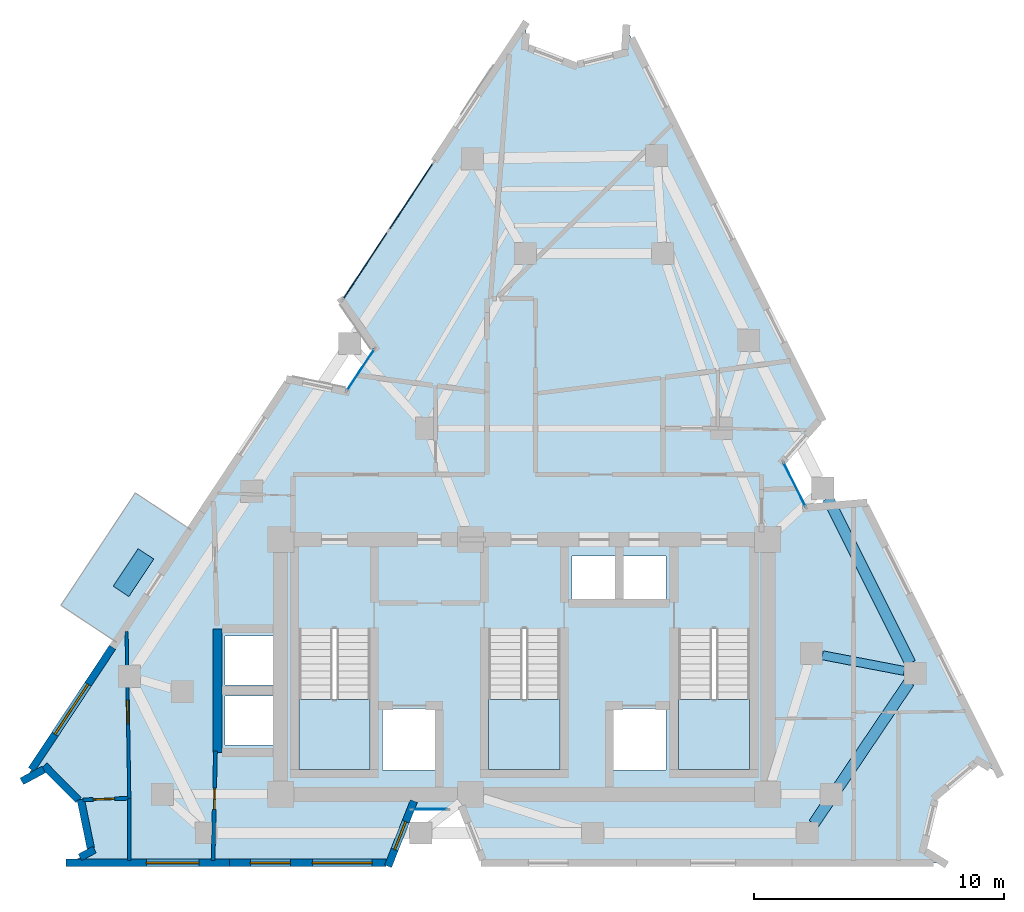
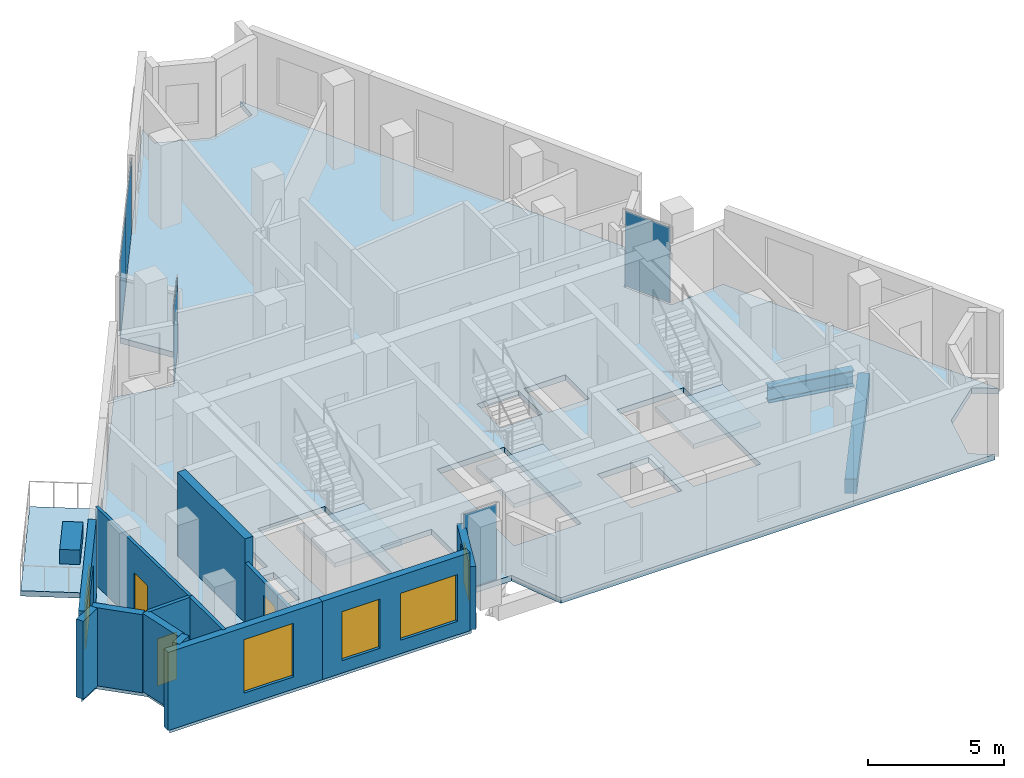
# One storey, part 4 of 10: 13 walls, 6 plates, 5 slabs, 5 windows, 3 beams, 3 doors, 8 openings, 7 elements without a shape of their own.
"""IFC4 building model written with IfcOpenShell, lengths in metres."""

from ifc_helpers import new_model, si_unit, direction, frame, frame_2d, origin, origin_2d, place, context, subcontext, project, spatial, polyline, rectangle, i_section, outline, extrude, material, layer, layer_set, material_profile, profile_set, type_object, element, fill, aggregate, save


model = new_model("IFC4")

# Units and contexts
model_context = context("Model", 3, precision=1e-05, world=origin(), true_north=direction((0.0, 1.0)))
body_context = subcontext(model_context, "Body", "Model", "MODEL_VIEW")
ifc_project = project(units=[si_unit("LENGTHUNIT", "METRE"), si_unit("AREAUNIT", "SQUARE_METRE"), si_unit("VOLUMEUNIT", "CUBIC_METRE"), si_unit("PLANEANGLEUNIT", "RADIAN"), si_unit("MASSUNIT", "GRAM", prefix="KILO")], contexts=[model_context])

# Site, building, storey
site_placement = place(None, origin())
site = spatial("IfcSite", under=ifc_project, at=site_placement, CompositionType="ELEMENT")
building_placement = place(site_placement, origin())
building = spatial("IfcBuilding", under=site, at=building_placement, Name="Almagre Mirador Tower", CompositionType="ELEMENT")
storey_placement = place(building_placement, frame((0.0, 0.0, 255.75)))
storey = spatial("IfcBuildingStorey", under=building, at=storey_placement, Name="L66", CompositionType="ELEMENT", Elevation=255.75)

# Beams
ifc_material_1 = material(Name="Precast concrete C50/60", Category="concrete")
ifc_material_profile_1 = material_profile(ifc_material_1, rectangle(XDim=0.449951171875, YDim=0.64990234375, at=origin_2d()), Name="RC450X650")
ifc_profile_set_1 = profile_set([ifc_material_profile_1], Name="Precast concrete C50/60")
beam_type_1 = type_object("IfcBeamType", Name="BM-SPN-RC450X650", PredefinedType="SPANDREL", material=ifc_profile_set_1)
beam_1_placement = place(storey_placement, frame((48.8916015625, 3.373046875, -0.574951171875), z_axis=(0.559011807763, 0.829159694378, 0.0), x_axis=(-0.829159694378, 0.559011807763, 0.0)))
element("IfcBeam", 1, at=beam_1_placement, inside=storey, type_object=beam_type_1, Name="L66 perimeter spandrel beam PC04-PC05", PredefinedType="SPANDREL", context=body_context, shape_type="SweptSolid", body=[
    extrude(rectangle(XDim=0.449951171875, YDim=0.64990234375, at=origin_2d()), origin(), (0.0, 0.0, 1.0), 6.822265625),
])
beam_2_placement = place(storey_placement, frame((52.755859375, 9.805419921875, -0.574951171875), z_axis=(-0.447226839749, 0.894420568753, 0.0), x_axis=(-0.894420568753, -0.447226839749, 0.0)))
element("IfcBeam", 2, at=beam_2_placement, inside=storey, type_object=beam_type_1, Name="L66 perimeter spandrel beam PC05-PC06", PredefinedType="SPANDREL", context=body_context, shape_type="SweptSolid", body=[
    extrude(rectangle(XDim=0.449951171875, YDim=0.64990234375, at=origin_2d()), origin(), (0.0, 0.0, 1.0), 7.37353515625),
])
ifc_material_2 = material(Name="Steel ASTM A992 Grade 50", Category="steel")
ifc_material_profile_2 = material_profile(ifc_material_2, i_section(OverallWidth=0.35791015625, OverallDepth=0.7060546875, WebThickness=0.018310546875, FlangeThickness=0.0302734375, FilletRadius=0.02197265625, at=origin_2d()), Name="W27X178")
ifc_profile_set_2 = profile_set([ifc_material_profile_2], Name="Steel ASTM A992 Grade 50")
beam_type_2 = type_object("IfcBeamType", Name="BM-STL-W27X178", PredefinedType="BEAM", material=ifc_profile_set_2)
beam_3_placement = place(storey_placement, frame((52.514892578125, 9.48779296875, -0.60302734375), z_axis=(-0.982116013596, 0.188276753315, 0.0), x_axis=(-0.188276753315, -0.982116013596, 0.0)))
element("IfcBeam", 3, at=beam_3_placement, inside=storey, type_object=beam_type_2, Name="L66 radial floor girder PC05-MC3", PredefinedType="BEAM", context=body_context, shape_type="SweptSolid", body=[
    extrude(i_section(OverallWidth=0.35791015625, OverallDepth=0.7060546875, WebThickness=0.018310546875, FlangeThickness=0.0302734375, FilletRadius=0.02197265625, at=origin_2d()), origin(), (0.0, 0.0, 1.0), 3.33251953125),
])

# Curtain wall, plate
ifc_material_3 = material(Name="Black anodized aluminium", Category="aluminium")
ifc_layer_1 = layer(ifc_material_3, 0.169921875)
ifc_layer_set_1 = layer_set([ifc_layer_1], Name="Black anodized aluminium")
curtain_wall_type_1 = type_object("IfcCurtainWallType", Name="CW-CRS-SYS", PredefinedType="NOTDEFINED", material=ifc_layer_set_1)
curtain_wall_1_placement = place(storey_placement, origin())
curtain_wall_1 = element("IfcCurtainWall", 4, at=curtain_wall_1_placement, inside=storey, type_object=curtain_wall_type_1, Name="L66 vertical crease curtain wall 01", PredefinedType="NOTDEFINED")
ifc_material_4 = material(Name="Dark solar-control laminated hurricane glass", Category="glass")
ifc_layer_2 = layer(ifc_material_4, 0.028076171875)
ifc_layer_set_2 = layer_set([ifc_layer_2], Name="Dark solar-control laminated hurricane glass")
plate_type_1 = type_object("IfcPlateType", Name="PLT-GLZ-28", PredefinedType="CURTAIN_PANEL", material=ifc_layer_set_2)
plate_1_placement = place(storey_placement, frame((30.7490234375, 21.53955078125, 0.06005859375), z_axis=(0.0, 0.0, 1.0), x_axis=(0.552047907303, 0.833812393793, 0.0)))
plate_1 = element("IfcPlate", 5, at=plate_1_placement, type_object=plate_type_1, Name="CW-4 panel 1.1", PredefinedType="CURTAIN_PANEL", context=body_context, shape_type="SweptSolid", body=[
    extrude(rectangle(XDim=1.970458984375, YDim=0.028076171875, at=origin_2d()), origin(), (0.0, 0.0, 1.0), 3.3798828125),
])
aggregate(curtain_wall_1, [plate_1])

curtain_wall_2_placement = place(storey_placement, origin())
curtain_wall_2 = element("IfcCurtainWall", 6, at=curtain_wall_2_placement, inside=storey, type_object=curtain_wall_type_1, Name="L66 vertical crease curtain wall 03", PredefinedType="NOTDEFINED")
plate_2_placement = place(storey_placement, frame((48.12060546875, 16.950927734375, 0.06005859375), z_axis=(0.0, 0.0, 1.0), x_axis=(0.447213595499, -0.894427191001, 0.0)))
plate_2 = element("IfcPlate", 7, at=plate_2_placement, type_object=plate_type_1, Name="CW-4 panel 1.1", PredefinedType="CURTAIN_PANEL", context=body_context, shape_type="SweptSolid", body=[
    extrude(rectangle(XDim=1.970703125, YDim=0.028076171875, at=origin_2d()), origin(), (0.0, 0.0, 1.0), 3.3798828125),
])
aggregate(curtain_wall_2, [plate_2])

curtain_wall_3_placement = place(storey_placement, origin())
curtain_wall_3 = element("IfcCurtainWall", 8, at=curtain_wall_3_placement, inside=storey, type_object=curtain_wall_type_1, Name="L66 vertical crease curtain wall 04", PredefinedType="NOTDEFINED")
plate_3_placement = place(storey_placement, frame((33.510009765625, 3.949951171875, 0.06005859375), z_axis=(0.0, 0.0, 1.0), x_axis=(-1.0, 0.0, 0.0)))
plate_3 = element("IfcPlate", 9, at=plate_3_placement, type_object=plate_type_1, Name="CW-4 panel 1.1", PredefinedType="CURTAIN_PANEL", context=body_context, shape_type="SweptSolid", body=[
    extrude(rectangle(XDim=1.389892578125, YDim=0.028076171875, at=origin_2d()), origin(), (0.0, 0.0, 1.0), 3.3798828125),
])
aggregate(curtain_wall_3, [plate_3])

# Curtain wall, plates
ifc_material_5 = material(Name="Black anodized aluminium", Category="aluminium")
ifc_layer_3 = layer(ifc_material_5, 0.199951171875)
ifc_layer_set_3 = layer_set([ifc_layer_3], Name="Black anodized aluminium")
curtain_wall_type_2 = type_object("IfcCurtainWallType", Name="CW-RES-H-SYS", PredefinedType="NOTDEFINED", material=ifc_layer_set_3)
curtain_wall_4_placement = place(storey_placement, origin())
curtain_wall_4 = element("IfcCurtainWall", 10, at=curtain_wall_4_placement, inside=storey, type_object=curtain_wall_type_2, Name="L66 curtain wall run 02", PredefinedType="NOTDEFINED")
ifc_material_6 = material(Name="Dark solar-control laminated hurricane glass", Category="glass")
ifc_layer_4 = layer(ifc_material_6, 0.035888671875)
ifc_layer_set_4 = layer_set([ifc_layer_4], Name="Dark solar-control laminated hurricane glass")
plate_type_2 = type_object("IfcPlateType", Name="PLT-GLZ-36", PredefinedType="CURTAIN_PANEL", material=ifc_layer_set_4)
plate_4_placement = place(storey_placement, frame((30.938232421875, 25.71875, 0.06494140625), z_axis=(0.0, 0.0, 1.0), x_axis=(0.552109983574, 0.833771291205, 0.0)))
plate_4 = element("IfcPlate", 11, at=plate_4_placement, type_object=plate_type_2, Name="CW-3 panel 1.1", PredefinedType="CURTAIN_PANEL", context=body_context, shape_type="SweptSolid", body=[
    extrude(rectangle(XDim=3.246826171875, YDim=0.035888671875, at=origin_2d()), origin(), (0.0, 0.0, 1.0), 3.3701171875),
])
plate_5_placement = place(storey_placement, frame((32.766845703125, 28.480224609375, 0.06494140625), z_axis=(0.0, 0.0, 1.0), x_axis=(0.552109983574, 0.833771291205, 0.0)))
plate_5 = element("IfcPlate", 12, at=plate_5_placement, type_object=plate_type_2, Name="CW-3 panel 2.1", PredefinedType="CURTAIN_PANEL", context=body_context, shape_type="SweptSolid", body=[
    extrude(rectangle(XDim=3.246826171875, YDim=0.035888671875, at=origin_2d()), origin(), (0.0, 0.0, 1.0), 3.3701171875),
])
aggregate(curtain_wall_4, [plate_4, plate_5])

# Plate
ifc_material_7 = material(Name="Precast concrete C50/60", Category="concrete")
ifc_layer_5 = layer(ifc_material_7, 0.64990234375)
ifc_layer_set_5 = layer_set([ifc_layer_5], Name="Precast concrete C50/60")
plate_type_3 = type_object("IfcPlateType", Name="PLT-PLANTER-1800", PredefinedType="USERDEFINED", material=ifc_layer_set_5)
plate_6_placement = place(storey_placement, frame((21.657958984375, 13.424072265625, 0.0), z_axis=(0.0, 0.0, 1.0), x_axis=(-0.552097069724, -0.833779842406, 0.0)))
element("IfcPlate", 13, at=plate_6_placement, inside=storey, type_object=plate_type_3, Name="L66 west balcony structural tree planter 1", ObjectType="PLANTER", PredefinedType="USERDEFINED", context=body_context, shape_type="SweptSolid", body=[
    extrude(rectangle(XDim=1.800048828125, YDim=0.75, at=origin_2d()), origin(), (0.0, 0.0, 1.0), 0.64990234375),
])

# Slabs
ifc_material_8 = material(Name="Concrete C45/55", Category="concrete")
ifc_layer_6 = layer(ifc_material_8, 0.239990234375)
ifc_layer_set_6 = layer_set([ifc_layer_6], Name="Concrete C45/55")
slab_type_1 = type_object("IfcSlabType", Name="SLB-BAL-240", PredefinedType="USERDEFINED", material=ifc_layer_set_6)
slab_1_placement = place(storey_placement, frame((0.0, 0.0, -0.239990234375)))
element("IfcSlab", 14, at=slab_1_placement, inside=storey, type_object=slab_type_1, Name="L66 west planted tree balcony 1", ObjectType="BALCONY", PredefinedType="USERDEFINED", context=body_context, shape_type="SweptSolid", body=[
    extrude(outline(polyline([(23.9580078125, 15.139892578125), (20.97607421875, 10.637939453125), (18.75, 12.112060546875), (21.73095703125, 16.614013671875), (23.9580078125, 15.139892578125)])), origin(), (0.0, 0.0, 1.0), 0.239990234375),
])
ifc_material_9 = material(Name="Concrete C45/55", Category="concrete")
ifc_layer_7 = layer(ifc_material_9, 0.25)
ifc_layer_set_7 = layer_set([ifc_layer_7], Name="Concrete C45/55")
slab_type_2 = type_object("IfcSlabType", Name="SLB-FLR-250", PredefinedType="FLOOR", material=ifc_layer_set_7)
slab_2_placement = place(storey_placement, frame((0.0, 0.0, -0.25)))
element("IfcSlab", 15, at=slab_2_placement, inside=storey, type_object=slab_type_2, Name="L66 structural floor slab", PredefinedType="FLOOR", context=body_context, shape_type="SweptSolid", body=[
    extrude(outline(polyline([(17.30810546875, 5.135009765625), (18.180908203125, 5.60400390625), (19.574951171875, 4.2041015625), (19.971923828125, 2.26904296875), (19.10009765625, 1.800048828125), (31.89990234375, 1.800048828125), (32.7548828125, 3.949951171875), (34.844970703125, 3.949951171875), (35.699951171875, 1.800048828125), (54.10009765625, 1.800048828125), (53.258056640625, 2.320068359375), (53.779052734375, 4.470947265625), (55.468994140625, 5.89794921875), (56.31103515625, 5.3779296875), (50.89306640625, 16.212890625), (48.587890625, 16.01611328125), (47.653076171875, 17.885986328125), (49.194091796875, 19.612060546875), (41.388916015625, 35.221923828125), (41.3291015625, 34.23388671875), (39.2919921875, 33.72900390625), (37.33203125, 34.47705078125), (37.39208984375, 35.465087890625), (30.006103515625, 24.31103515625), (31.325927734375, 22.410888671875), (30.172119140625, 20.66796875), (27.907958984375, 21.14208984375), (17.30810546875, 5.135009765625)]), holes=[polyline([(43.47509765625, 5.550048828125), (43.47509765625, 11.196044921875), (46.324951171875, 11.196044921875), (46.324951171875, 5.550048828125), (43.47509765625, 5.550048828125)]), polyline([(41.219970703125, 12.320068359375), (41.219970703125, 14.080078125), (42.97998046875, 14.080078125), (42.97998046875, 12.320068359375), (41.219970703125, 12.320068359375)]), polyline([(42.97998046875, 5.52001953125), (40.820068359375, 5.52001953125), (40.820068359375, 7.97998046875), (42.97998046875, 7.97998046875), (42.97998046875, 5.52001953125)]), polyline([(39.219970703125, 12.320068359375), (39.219970703125, 14.080078125), (40.97998046875, 14.080078125), (40.97998046875, 12.320068359375), (39.219970703125, 12.320068359375)]), polyline([(35.875, 5.550048828125), (35.875, 11.196044921875), (38.72509765625, 11.196044921875), (38.72509765625, 5.550048828125), (35.875, 5.550048828125)]), polyline([(33.780029296875, 5.52001953125), (31.6201171875, 5.52001953125), (31.6201171875, 7.97998046875), (33.780029296875, 7.97998046875), (33.780029296875, 5.52001953125)]), polyline([(28.27490234375, 5.550048828125), (28.27490234375, 11.196044921875), (31.125, 11.196044921875), (31.125, 5.550048828125), (28.27490234375, 5.550048828125)]), polyline([(27.3798828125, 6.52001953125), (25.320068359375, 6.52001953125), (25.320068359375, 8.47998046875), (27.3798828125, 8.47998046875), (27.3798828125, 6.52001953125)]), polyline([(27.3798828125, 8.919921875), (25.320068359375, 8.919921875), (25.320068359375, 10.8798828125), (27.3798828125, 10.8798828125), (27.3798828125, 8.919921875)])]), origin(), (0.0, 0.0, 1.0), 0.25),
])

# Stair, slab
ifc_material_10 = material(Name="Concrete C45/55", Category="concrete")
stair_type = type_object("IfcStairType", Name="STR-DL-3750", PredefinedType="HALF_TURN_STAIR", material=ifc_material_10)
stair_1_placement = place(storey_placement, origin())
stair_1 = element("IfcStair", 16, at=stair_1_placement, inside=storey, type_object=stair_type, Name="L66 Protected exit stair ST-1", PredefinedType="HALF_TURN_STAIR")
ifc_material_11 = material(Name="Concrete C45/55", Category="concrete")
ifc_layer_8 = layer(ifc_material_11, 0.199951171875)
ifc_layer_set_8 = layer_set([ifc_layer_8], Name="Concrete C45/55")
slab_type_3 = type_object("IfcSlabType", Name="SLB-LND-200", PredefinedType="LANDING", material=ifc_layer_set_8)
slab_3_placement = place(storey_placement, frame((0.0, 0.0, 1.675048828125)))
slab_3 = element("IfcSlab", 17, at=slab_3_placement, type_object=slab_type_3, Name="ST-1 landing 1", PredefinedType="LANDING", context=body_context, shape_type="SweptSolid", body=[
    extrude(outline(polyline([(28.27490234375, 8.35009765625), (28.27490234375, 5.550048828125), (31.125, 5.550048828125), (31.125, 8.35009765625), (28.27490234375, 8.35009765625)])), origin(), (0.0, 0.0, 1.0), 0.199951171875),
])
aggregate(stair_1, [slab_3])

stair_2_placement = place(storey_placement, origin())
stair_2 = element("IfcStair", 18, at=stair_2_placement, inside=storey, type_object=stair_type, Name="L66 Protected exit stair ST-2", PredefinedType="HALF_TURN_STAIR")
slab_4_placement = place(storey_placement, frame((0.0, 0.0, 1.675048828125)))
slab_4 = element("IfcSlab", 19, at=slab_4_placement, type_object=slab_type_3, Name="ST-2 landing 1", PredefinedType="LANDING", context=body_context, shape_type="SweptSolid", body=[
    extrude(outline(polyline([(35.875, 8.35009765625), (35.875, 5.550048828125), (38.72509765625, 5.550048828125), (38.72509765625, 8.35009765625), (35.875, 8.35009765625)])), origin(), (0.0, 0.0, 1.0), 0.199951171875),
])
aggregate(stair_2, [slab_4])

stair_3_placement = place(storey_placement, origin())
stair_3 = element("IfcStair", 20, at=stair_3_placement, inside=storey, type_object=stair_type, Name="L66 Protected exit stair ST-3", PredefinedType="HALF_TURN_STAIR")
slab_5_placement = place(storey_placement, frame((0.0, 0.0, 1.675048828125)))
slab_5 = element("IfcSlab", 21, at=slab_5_placement, type_object=slab_type_3, Name="ST-3 landing 1", PredefinedType="LANDING", context=body_context, shape_type="SweptSolid", body=[
    extrude(outline(polyline([(43.47509765625, 8.35009765625), (43.47509765625, 5.550048828125), (46.324951171875, 5.550048828125), (46.324951171875, 8.35009765625), (43.47509765625, 8.35009765625)])), origin(), (0.0, 0.0, 1.0), 0.199951171875),
])
aggregate(stair_3, [slab_5])

# Wall, opening, window
ifc_material_12 = material(Name="Precast concrete C50/60", Category="concrete")
ifc_layer_9 = layer(ifc_material_12, 0.300048828125)
ifc_layer_set_9 = layer_set([ifc_layer_9], Name="Precast concrete C50/60")
wall_type_1 = type_object("IfcWallType", Name="WAL-EXT-300", PredefinedType="SOLIDWALL", material=ifc_layer_set_9)
wall_1_placement = place(storey_placement, frame((32.883544921875, 4.2734375, 0.0), z_axis=(0.0, 0.0, 1.0), x_axis=(-0.369466825356, -0.929243921132, 0.0)))
wall_1 = element("IfcWall", 22, at=wall_1_placement, inside=storey, type_object=wall_type_1, Name="L66 expressed almagre precast frame wall 23", PredefinedType="SOLIDWALL", context=body_context, shape_type="SweptSolid", body=[
    extrude(rectangle(XDim=2.8017578125, YDim=0.300048828125, at=frame_2d((1.40087890625, 0.0))), origin(), (0.0, 0.0, 1.0), 2.824951171875),
])
opening_1_placement = place(wall_1_placement, frame((0.883056640625, 0.0, 0.800048828125)))
opening_1 = element("IfcOpeningElement", 23, at=opening_1_placement, cuts=wall_1, Name="Opening WN-04", PredefinedType="OPENING", context=body_context, shape_type="SweptSolid", body=[
    extrude(rectangle(XDim=1.199951171875, YDim=1.800048828125, at=frame_2d((0.60009765625, 0.89990234375))), frame((0.0, 0.159902, 0.0), z_axis=(0.0, -1.0, 0.0), x_axis=(1.0, 0.0, 0.0)), (0.0, 0.0, 1.0), 0.320049),
])
ifc_material_13 = material(Name="Dark solar-control laminated hurricane glass", Category="glass")
window_type_1 = type_object("IfcWindowType", Name="WIN-1200X1800", PartitioningType="SINGLE_PANEL", PredefinedType="WINDOW", material=ifc_material_13)
window_1_placement = place(opening_1_placement, origin())
window_1 = element("IfcWindow", 24, at=window_1_placement, inside=storey, type_object=window_type_1, Name="L66 recessed hurricane window L66-UB-ST", OverallHeight=1.800048828125, OverallWidth=1.199951171875, PartitioningType="SINGLE_PANEL", PredefinedType="WINDOW", context=body_context, shape_type="SweptSolid", body=[
    extrude(rectangle(XDim=1.199951171875, YDim=1.800048828125, at=frame_2d((0.60009765625, 0.89990234375))), frame((0.0, 0.030029296875, 0.0), z_axis=(0.0, -1.0, 0.0), x_axis=(1.0, 0.0, 0.0)), (0.0, 0.0, 1.0), 0.06005859375),
])
fill(opening_1, window_1)

# Wall, openings, windows
wall_2_placement = place(storey_placement, frame((31.760009765625, 1.800048828125, 0.0), z_axis=(0.0, 0.0, 1.0), x_axis=(-1.0, 0.0, 0.0)))
wall_2 = element("IfcWall", 25, at=wall_2_placement, inside=storey, type_object=wall_type_1, Name="L66 expressed almagre precast frame wall 24", PredefinedType="SOLIDWALL", context=body_context, shape_type="SweptSolid", body=[
    extrude(rectangle(XDim=6.260009765625, YDim=0.300048828125, at=frame_2d((3.1298828125, 0.0))), origin(), (0.0, 0.0, 1.0), 3.5),
])
opening_2_placement = place(wall_2_placement, frame((0.544921875, 0.0, 0.60009765625)))
opening_2 = element("IfcOpeningElement", 26, at=opening_2_placement, cuts=wall_2, Name="Opening WN-02", PredefinedType="OPENING", context=body_context, shape_type="SweptSolid", body=[
    extrude(rectangle(XDim=2.39990234375, YDim=2.10009765625, at=frame_2d((1.199951171875, 1.050048828125))), frame((0.0, 0.159902, 0.0), z_axis=(0.0, -1.0, 0.0), x_axis=(1.0, 0.0, 0.0)), (0.0, 0.0, 1.0), 0.320049),
])
opening_3_placement = place(wall_2_placement, frame((3.820068359375, 0.0, 0.550048828125)))
opening_3 = element("IfcOpeningElement", 27, at=opening_3_placement, cuts=wall_2, Name="Opening WN-06", PredefinedType="OPENING", context=body_context, shape_type="SweptSolid", body=[
    extrude(rectangle(XDim=1.60009765625, YDim=2.199951171875, at=frame_2d((0.800048828125, 1.10009765625))), frame((0.0, 0.159902, 0.0), z_axis=(0.0, -1.0, 0.0), x_axis=(1.0, 0.0, 0.0)), (0.0, 0.0, 1.0), 0.320049),
])
ifc_material_14 = material(Name="Dark solar-control laminated hurricane glass", Category="glass")
window_type_2 = type_object("IfcWindowType", Name="WIN-1600X2200", PartitioningType="DOUBLE_PANEL_VERTICAL", PredefinedType="WINDOW", material=ifc_material_14)
window_2_placement = place(opening_3_placement, origin())
window_2 = element("IfcWindow", 28, at=window_2_placement, inside=storey, type_object=window_type_2, Name="L66 recessed hurricane window L66-UB-KT", OverallHeight=2.199951171875, OverallWidth=1.60009765625, PartitioningType="SINGLE_PANEL", PredefinedType="WINDOW", context=body_context, shape_type="SweptSolid", body=[
    extrude(rectangle(XDim=1.60009765625, YDim=2.199951171875, at=frame_2d((0.800048828125, 1.10009765625))), frame((0.0, 0.030029296875, 0.0), z_axis=(0.0, -1.0, 0.0), x_axis=(1.0, 0.0, 0.0)), (0.0, 0.0, 1.0), 0.06005859375),
])
fill(opening_3, window_2)
ifc_material_15 = material(Name="Dark solar-control laminated hurricane glass", Category="glass")
window_type_3 = type_object("IfcWindowType", Name="WIN-2400X2100", PartitioningType="TRIPLE_PANEL_VERTICAL", PredefinedType="WINDOW", material=ifc_material_15)
window_3_placement = place(opening_2_placement, origin())
window_3 = element("IfcWindow", 29, at=window_3_placement, inside=storey, type_object=window_type_3, Name="L66 recessed hurricane window L66-UB-ST", OverallHeight=2.10009765625, OverallWidth=2.39990234375, PartitioningType="SINGLE_PANEL", PredefinedType="WINDOW", context=body_context, shape_type="SweptSolid", body=[
    extrude(rectangle(XDim=2.39990234375, YDim=2.10009765625, at=frame_2d((1.199951171875, 1.050048828125))), frame((0.0, 0.030029296875, 0.0), z_axis=(0.0, -1.0, 0.0), x_axis=(1.0, 0.0, 0.0)), (0.0, 0.0, 1.0), 0.06005859375),
])
fill(opening_2, window_3)

# Wall, opening, window
wall_3_placement = place(storey_placement, frame((25.5, 1.800048828125, 0.0), z_axis=(0.0, 0.0, 1.0), x_axis=(-1.0, 0.0, 0.0)))
wall_3 = element("IfcWall", 30, at=wall_3_placement, inside=storey, type_object=wall_type_1, Name="L66 expressed almagre precast frame wall 25", PredefinedType="SOLIDWALL", context=body_context, shape_type="SweptSolid", body=[
    extrude(rectangle(XDim=6.5400390625, YDim=0.300048828125, at=frame_2d((3.27001953125, 0.0))), origin(), (0.0, 0.0, 1.0), 3.5),
])
opening_4_placement = place(wall_3_placement, frame((1.22509765625, 0.0, 0.550048828125)))
opening_4 = element("IfcOpeningElement", 31, at=opening_4_placement, cuts=wall_3, Name="Opening WN-05", PredefinedType="OPENING", context=body_context, shape_type="SweptSolid", body=[
    extrude(rectangle(XDim=2.10009765625, YDim=2.39990234375, at=frame_2d((1.050048828125, 1.199951171875))), frame((0.0, 0.159902, 0.0), z_axis=(0.0, -1.0, 0.0), x_axis=(1.0, 0.0, 0.0)), (0.0, 0.0, 1.0), 0.320049),
])
ifc_material_16 = material(Name="Dark solar-control laminated hurricane glass", Category="glass")
window_type_4 = type_object("IfcWindowType", Name="WIN-2100X2400", PartitioningType="DOUBLE_PANEL_VERTICAL", PredefinedType="WINDOW", material=ifc_material_16)
window_4_placement = place(opening_4_placement, origin())
window_4 = element("IfcWindow", 32, at=window_4_placement, inside=storey, type_object=window_type_4, Name="L66 recessed hurricane window L66-UB-BT", OverallHeight=2.39990234375, OverallWidth=2.10009765625, PartitioningType="SINGLE_PANEL", PredefinedType="WINDOW", context=body_context, shape_type="SweptSolid", body=[
    extrude(rectangle(XDim=2.10009765625, YDim=2.39990234375, at=frame_2d((1.050048828125, 1.199951171875))), frame((0.0, 0.030029296875, 0.0), z_axis=(0.0, -1.0, 0.0), x_axis=(1.0, 0.0, 0.0)), (0.0, 0.0, 1.0), 0.06005859375),
])
fill(opening_4, window_4)

# Walls
wall_4_placement = place(storey_placement, frame((19.518310546875, 2.02490234375, 0.0), z_axis=(0.0, 0.0, 1.0), x_axis=(0.8806864219, 0.47369972164, 0.0)))
element("IfcWall", 33, at=wall_4_placement, inside=storey, type_object=wall_type_1, Name="L66 expressed almagre precast frame wall 26", PredefinedType="SOLIDWALL", context=body_context, shape_type="SweptSolid", body=[
    extrude(rectangle(XDim=0.655029296875, YDim=0.300048828125, at=frame_2d((0.32763671875, 0.0))), origin(), (0.0, 0.0, 1.0), 3.5),
])
wall_5_placement = place(storey_placement, frame((19.94580078125, 2.396484375, 0.0), z_axis=(0.0, 0.0, 1.0), x_axis=(-0.200962300898, 0.979598975917, 0.0)))
element("IfcWall", 34, at=wall_5_placement, inside=storey, type_object=wall_type_1, Name="L66 expressed almagre precast frame wall 27", PredefinedType="SOLIDWALL", context=body_context, shape_type="SweptSolid", body=[
    extrude(rectangle(XDim=1.985107421875, YDim=0.300048828125, at=frame_2d((0.99267578125, 0.0))), origin(), (0.0, 0.0, 1.0), 3.5),
])
wall_6_placement = place(storey_placement, frame((19.465576171875, 4.313720703125, 0.0), z_axis=(0.0, 0.0, 1.0), x_axis=(-0.705548527825, 0.708661608163, 0.0)))
element("IfcWall", 35, at=wall_6_placement, inside=storey, type_object=wall_type_1, Name="L66 expressed almagre precast frame wall 28", PredefinedType="SOLIDWALL", context=body_context, shape_type="SweptSolid", body=[
    extrude(rectangle(XDim=1.960693359375, YDim=0.300048828125, at=frame_2d((0.98046875, 0.0))), origin(), (0.0, 0.0, 1.0), 3.5),
])
wall_7_placement = place(storey_placement, frame((18.06640625, 5.54248046875, 0.0), z_axis=(0.0, 0.0, 1.0), x_axis=(-0.880815496191, -0.473459672696, 0.0)))
element("IfcWall", 36, at=wall_7_placement, inside=storey, type_object=wall_type_1, Name="L66 expressed almagre precast frame wall 29", PredefinedType="SOLIDWALL", context=body_context, shape_type="SweptSolid", body=[
    extrude(rectangle(XDim=1.0009765625, YDim=0.300048828125, at=frame_2d((0.50048828125, 0.0))), origin(), (0.0, 0.0, 1.0), 3.5),
])

# Wall, opening, window
wall_8_placement = place(storey_placement, frame((17.572998046875, 5.53515625, 0.0), z_axis=(0.0, 0.0, 1.0), x_axis=(0.552126632123, 0.833760266564, 0.0)))
wall_8 = element("IfcWall", 37, at=wall_8_placement, inside=storey, type_object=wall_type_1, Name="L66 expressed almagre precast frame wall 30", PredefinedType="SOLIDWALL", context=body_context, shape_type="SweptSolid", body=[
    extrude(rectangle(XDim=5.873046875, YDim=0.300048828125, at=frame_2d((2.9365234375, 0.0))), origin(), (0.0, 0.0, 1.0), 3.5),
])
opening_5_placement = place(wall_8_placement, frame((1.705078125, 0.0, 0.60009765625)))
opening_5 = element("IfcOpeningElement", 38, at=opening_5_placement, cuts=wall_8, Name="Opening WN-02", PredefinedType="OPENING", context=body_context, shape_type="SweptSolid", body=[
    extrude(rectangle(XDim=2.39990234375, YDim=2.10009765625, at=frame_2d((1.199951171875, 1.050048828125))), frame((0.0, 0.159902, 0.0), z_axis=(0.0, -1.0, 0.0), x_axis=(1.0, 0.0, 0.0)), (0.0, 0.0, 1.0), 0.320049),
])
window_5_placement = place(opening_5_placement, origin())
window_5 = element("IfcWindow", 39, at=window_5_placement, inside=storey, type_object=window_type_3, Name="L66 recessed hurricane window L66-UA-KT", OverallHeight=2.10009765625, OverallWidth=2.39990234375, PartitioningType="SINGLE_PANEL", PredefinedType="WINDOW", context=body_context, shape_type="SweptSolid", body=[
    extrude(rectangle(XDim=2.39990234375, YDim=2.10009765625, at=frame_2d((1.199951171875, 1.050048828125))), frame((0.0, 0.030029296875, 0.0), z_axis=(0.0, -1.0, 0.0), x_axis=(1.0, 0.0, 0.0)), (0.0, 0.0, 1.0), 0.06005859375),
])
fill(opening_5, window_5)

# Wall, opening, door
ifc_material_17 = material(Name="Gypsum acoustic stud partition", Category="other")
ifc_layer_10 = layer(ifc_material_17, 0.125)
ifc_layer_set_10 = layer_set([ifc_layer_10], Name="Gypsum acoustic stud partition")
wall_type_2 = type_object("IfcWallType", Name="WAL-PRT-125-UTL", PredefinedType="PARTITIONING", material=ifc_layer_set_10)
wall_9_placement = place(storey_placement, frame((21.3798828125, 11.070068359375, 0.0), z_axis=(0.0, 0.0, 1.0), x_axis=(0.016480474698, -0.999864187754, 0.0)))
wall_9 = element("IfcWall", 40, at=wall_9_placement, inside=storey, type_object=wall_type_2, Name="L66 interior partition 016", PredefinedType="PARTITIONING", context=body_context, shape_type="SweptSolid", body=[
    extrude(rectangle(XDim=6.68115234375, YDim=0.125, at=frame_2d((3.340576171875, 0.0))), origin(), (0.0, 0.0, 1.0), 3.5),
])
opening_6_placement = place(wall_9_placement, frame((2.752197265625, 0.0, 0.0)))
opening_6 = element("IfcOpeningElement", 41, at=opening_6_placement, cuts=wall_9, Name="Opening UD-01", PredefinedType="OPENING", context=body_context, shape_type="SweptSolid", body=[
    extrude(rectangle(XDim=0.949951171875, YDim=2.199951171875, at=frame_2d((0.47509765625, 1.10009765625))), frame((0.0, 0.0725, 0.0), z_axis=(0.0, -1.0, 0.0), x_axis=(1.0, 0.0, 0.0)), (0.0, 0.0, 1.0), 0.145),
])
ifc_material_18 = material(Name="Solid American walnut timber", Category="wood")
door_type_1 = type_object("IfcDoorType", Name="DOR-UNR-950X2200", OperationType="NOTDEFINED", PredefinedType="DOOR", material=ifc_material_18)
door_1_placement = place(opening_6_placement, origin())
door_1 = element("IfcDoor", 42, at=door_1_placement, inside=storey, type_object=door_type_1, Name="DR-2021 L66 interior door L66-UA-ST to L66-UA-KT", OperationType="SINGLE_SWING_RIGHT", OverallHeight=2.199951171875, OverallWidth=0.949951171875, PredefinedType="DOOR", context=body_context, shape_type="SweptSolid", body=[
    extrude(rectangle(XDim=0.949951171875, YDim=2.199951171875, at=frame_2d((0.47509765625, 1.10009765625))), frame((0.0, 0.02490234375, 0.0), z_axis=(0.0, -1.0, 0.0), x_axis=(1.0, 0.0, 0.0)), (0.0, 0.0, 1.0), 0.050048828125),
])
fill(opening_6, door_1)

# Wall
ifc_material_19 = material(Name="Gypsum acoustic stud partition", Category="other")
ifc_layer_11 = layer(ifc_material_19, 0.14990234375)
ifc_layer_set_11 = layer_set([ifc_layer_11], Name="Gypsum acoustic stud partition")
wall_type_3 = type_object("IfcWallType", Name="WAL-PRT-150-STD", PredefinedType="PARTITIONING", material=ifc_layer_set_11)
wall_10_placement = place(storey_placement, frame((21.489990234375, 4.389892578125, 0.0), z_axis=(0.0, 0.0, 1.0), x_axis=(0.0, -1.0, 0.0)))
element("IfcWall", 43, at=wall_10_placement, inside=storey, type_object=wall_type_3, Name="L66 interior partition 017", PredefinedType="PARTITIONING", context=body_context, shape_type="SweptSolid", body=[
    extrude(rectangle(XDim=2.489990234375, YDim=0.14990234375, at=frame_2d((1.2451171875, 0.0))), origin(), (0.0, 0.0, 1.0), 3.5),
])

# Wall, opening, door
wall_11_placement = place(storey_placement, frame((19.64208984375, 4.327880859375, 0.0), z_axis=(0.0, 0.0, 1.0), x_axis=(0.999434934398, 0.033612674767, 0.0)))
wall_11 = element("IfcWall", 44, at=wall_11_placement, inside=storey, type_object=wall_type_3, Name="L66 interior partition 020", PredefinedType="PARTITIONING", context=body_context, shape_type="SweptSolid", body=[
    extrude(rectangle(XDim=1.80126953125, YDim=0.14990234375, at=frame_2d((0.900634765625, 0.0))), origin(), (0.0, 0.0, 1.0), 3.5),
])
opening_7_placement = place(wall_11_placement, frame((0.40625, 0.0, 0.0)))
opening_7 = element("IfcOpeningElement", 45, at=opening_7_placement, cuts=wall_11, Name="Opening UD-04", PredefinedType="OPENING", context=body_context, shape_type="SweptSolid", body=[
    extrude(rectangle(XDim=0.85009765625, YDim=2.10009765625, at=frame_2d((0.425048828125, 1.050048828125))), frame((0.0, 0.084951, 0.0), z_axis=(0.0, -1.0, 0.0), x_axis=(1.0, 0.0, 0.0)), (0.0, 0.0, 1.0), 0.169902),
])
ifc_material_20 = material(Name="Moisture-resistant oak timber", Category="wood")
door_type_2 = type_object("IfcDoorType", Name="DOR-UNR-850X2100", OperationType="NOTDEFINED", PredefinedType="DOOR", material=ifc_material_20)
door_2_placement = place(opening_7_placement, origin())
door_2 = element("IfcDoor", 46, at=door_2_placement, inside=storey, type_object=door_type_2, Name="DR-2022 L66 interior door L66-UA-KT to L66-UA-BT", OperationType="SINGLE_SWING_LEFT", OverallHeight=2.10009765625, OverallWidth=0.85009765625, PredefinedType="DOOR", context=body_context, shape_type="SweptSolid", body=[
    extrude(rectangle(XDim=0.85009765625, YDim=2.10009765625, at=frame_2d((0.425048828125, 1.050048828125))), frame((0.0, 0.02490234375, 0.0), z_axis=(0.0, -1.0, 0.0), x_axis=(1.0, 0.0, 0.0)), (0.0, 0.0, 1.0), 0.050048828125),
])
fill(opening_7, door_2)

wall_12_placement = place(storey_placement, frame((24.93798828125, 6.280029296875, 0.0), z_axis=(0.0, 0.0, 1.0), x_axis=(-0.021677085696, -0.999765024371, 0.0)))
wall_12 = element("IfcWall", 47, at=wall_12_placement, inside=storey, type_object=wall_type_3, Name="L66 interior partition 023", PredefinedType="PARTITIONING", context=body_context, shape_type="SweptSolid", body=[
    extrude(rectangle(XDim=4.381103515625, YDim=0.14990234375, at=frame_2d((2.1904296875, 0.0))), origin(), (0.0, 0.0, 1.0), 2.68505859375),
])
opening_8_placement = place(wall_12_placement, frame((1.4814453125, 0.0, 0.0)))
opening_8 = element("IfcOpeningElement", 48, at=opening_8_placement, cuts=wall_12, Name="Opening UD-04", PredefinedType="OPENING", context=body_context, shape_type="SweptSolid", body=[
    extrude(rectangle(XDim=0.85009765625, YDim=2.10009765625, at=frame_2d((0.425048828125, 1.050048828125))), frame((0.0, 0.084951, 0.0), z_axis=(0.0, -1.0, 0.0), x_axis=(1.0, 0.0, 0.0)), (0.0, 0.0, 1.0), 0.169902),
])
door_3_placement = place(opening_8_placement, origin())
door_3 = element("IfcDoor", 49, at=door_3_placement, inside=storey, type_object=door_type_2, Name="DR-2023 L66 interior door L66-UB-KT to L66-UB-BT", OperationType="SINGLE_SWING_LEFT", OverallHeight=2.10009765625, OverallWidth=0.85009765625, PredefinedType="DOOR", context=body_context, shape_type="SweptSolid", body=[
    extrude(rectangle(XDim=0.85009765625, YDim=2.10009765625, at=frame_2d((0.425048828125, 1.050048828125))), frame((0.0, 0.02490234375, 0.0), z_axis=(0.0, -1.0, 0.0), x_axis=(1.0, 0.0, 0.0)), (0.0, 0.0, 1.0), 0.050048828125),
])
fill(opening_8, door_3)

# Wall
ifc_material_21 = material(Name="Concrete C60/75", Category="concrete")
ifc_layer_12 = layer(ifc_material_21, 0.35009765625)
ifc_layer_set_12 = layer_set([ifc_layer_12], Name="Concrete C60/75")
wall_type_4 = type_object("IfcWallType", Name="WAL-SHF-350", PredefinedType="SOLIDWALL", material=ifc_layer_set_12)
wall_13_placement = place(storey_placement, frame((25.02490234375, 6.22509765625, 0.0), z_axis=(0.0, 0.0, 1.0), x_axis=(0.0, 1.0, 0.0)))
element("IfcWall", 50, at=wall_13_placement, inside=storey, type_object=wall_type_4, Name="L66 shaft wall OL-W", PredefinedType="SOLIDWALL", context=body_context, shape_type="SweptSolid", body=[
    extrude(rectangle(XDim=4.949951171875, YDim=0.35009765625, at=frame_2d((2.47509765625, 0.0))), origin(), (0.0, 0.0, 1.0), 3.75),
])

save(model, "model.ifc")
